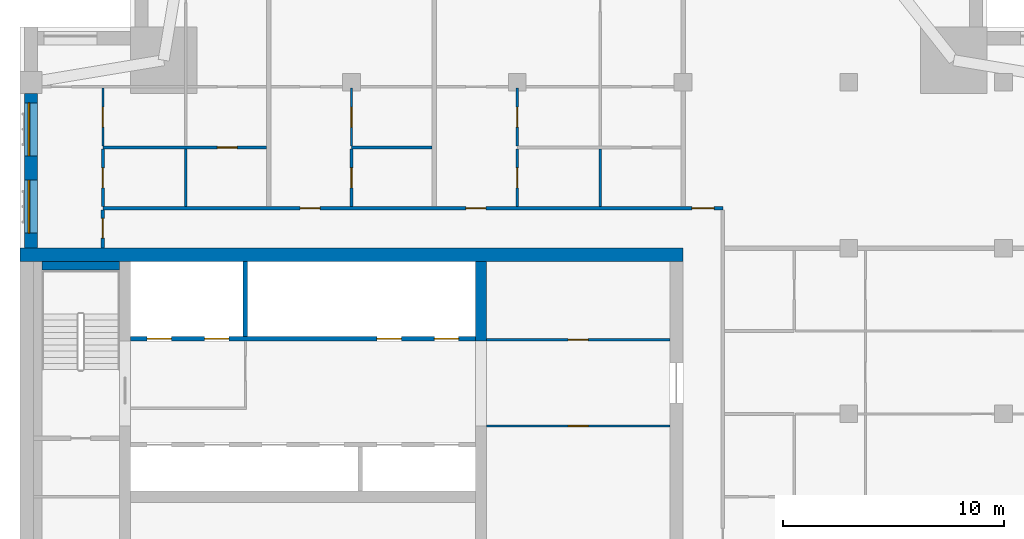
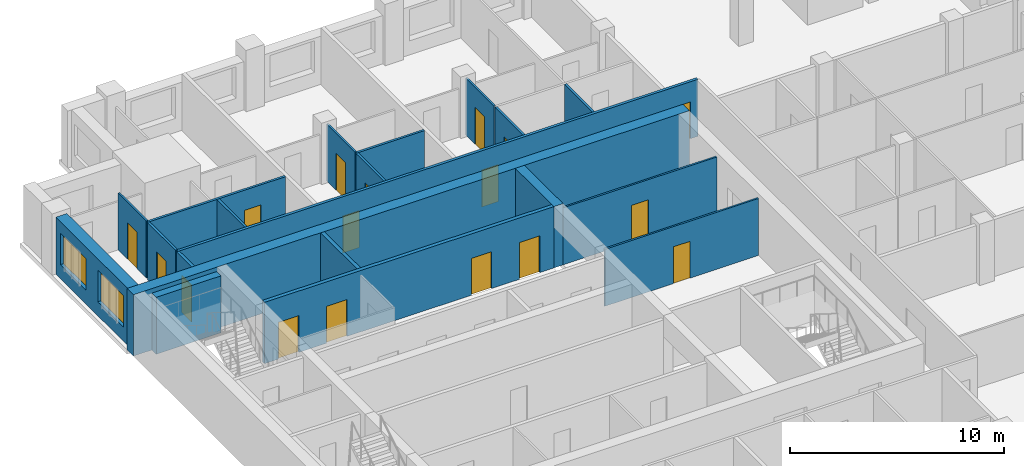
# One storey, part 6 of 10: 20 walls, 17 doors, 2 windows, 19 openings.
"""IFC4 building model written with IfcOpenShell, lengths in metres."""

from ifc_helpers import new_model, si_unit, direction, frame, frame_2d, origin, place, context, subcontext, project, spatial, rectangle, extrude, material, layer, layer_set, type_object, element, fill, save


model = new_model("IFC4")

# Units and contexts
model_context = context("Model", 3, precision=1e-05, world=origin(), true_north=direction((0.0, 1.0)))
body_context = subcontext(model_context, "Body", "Model", "MODEL_VIEW")
ifc_project = project(units=[si_unit("LENGTHUNIT", "METRE"), si_unit("AREAUNIT", "SQUARE_METRE"), si_unit("VOLUMEUNIT", "CUBIC_METRE"), si_unit("PLANEANGLEUNIT", "RADIAN"), si_unit("MASSUNIT", "GRAM", prefix="KILO")], contexts=[model_context])

# Site, building, storey
site_placement = place(None, origin())
site = spatial("IfcSite", under=ifc_project, at=site_placement, CompositionType="ELEMENT")
building_placement = place(site_placement, origin())
building = spatial("IfcBuilding", under=site, at=building_placement, Name="Tamorin Gate", CompositionType="ELEMENT")
storey_placement = place(building_placement, frame((0.0, 0.0, 251.199951171875)))
storey = spatial("IfcBuildingStorey", under=building, at=storey_placement, Name="L63", CompositionType="ELEMENT", Elevation=251.199951171875)

# Wall, openings, windows
ifc_material_1 = material(Name="Precast concrete C40/50", Category="concrete")
ifc_layer_1 = layer(ifc_material_1, 0.60009765625)
ifc_layer_set_1 = layer_set([ifc_layer_1], Name="Precast concrete C40/50")
wall_type_1 = type_object("IfcWallType", Name="Board-marked concrete facade panel 600", PredefinedType="SOLIDWALL", material=ifc_layer_set_1)
wall_1_placement = place(storey_placement, frame((30.5, 89.5, 0.0), z_axis=(0.0, 0.0, 1.0), x_axis=(0.0, -1.0, 0.0)))
wall_1 = element("IfcWall", 1, at=wall_1_placement, inside=storey, type_object=wall_type_1, Name="Facade panel", PredefinedType="SOLIDWALL", context=body_context, shape_type="SweptSolid", body=[
    extrude(rectangle(XDim=7.0, YDim=0.60009765625, at=frame_2d((3.5, 0.0))), origin(), (0.0, 0.0, 1.0), 3.25),
])
opening_1_placement = place(wall_1_placement, frame((3.925048828125, 0.0, 0.800048828125)))
opening_1 = element("IfcOpeningElement", 2, at=opening_1_placement, cuts=wall_1, Name="Opening WN1", PredefinedType="OPENING", context=body_context, shape_type="SweptSolid", body=[
    extrude(rectangle(XDim=2.39990234375, YDim=1.800048828125, at=frame_2d((1.199951171875, 0.89990234375))), frame((0.0, 0.31005859375, 0.0), z_axis=(0.0, -1.0, 0.0), x_axis=(1.0, 0.0, 0.0)), (0.0, 0.0, 1.0), 0.6201171875),
])
opening_2_placement = place(wall_1_placement, frame((0.425048828125, 0.0, 0.800048828125)))
opening_2 = element("IfcOpeningElement", 3, at=opening_2_placement, cuts=wall_1, Name="Opening WN1", PredefinedType="OPENING", context=body_context, shape_type="SweptSolid", body=[
    extrude(rectangle(XDim=2.39990234375, YDim=1.800048828125, at=frame_2d((1.199951171875, 0.89990234375))), frame((0.0, 0.31005859375, 0.0), z_axis=(0.0, -1.0, 0.0), x_axis=(1.0, 0.0, 0.0)), (0.0, 0.0, 1.0), 0.6201171875),
])
ifc_material_2 = material(Name="Clear glass in aluminium frame", Category="aluminium")
window_type = type_object("IfcWindowType", Name="Deep-set window 2400x1800", PartitioningType="SINGLE_PANEL", PredefinedType="WINDOW", material=ifc_material_2)
window_1_placement = place(opening_1_placement, origin())
window_1 = element("IfcWindow", 4, at=window_1_placement, inside=storey, type_object=window_type, Name="Deep-set window", OverallHeight=1.800048828125, OverallWidth=2.39990234375, PartitioningType="SINGLE_PANEL", PredefinedType="WINDOW", context=body_context, shape_type="SweptSolid", body=[
    extrude(rectangle(XDim=2.39990234375, YDim=1.800048828125, at=frame_2d((1.199951171875, 0.89990234375))), frame((0.0, -0.070068359375, 0.0), z_axis=(0.0, -1.0, 0.0), x_axis=(1.0, 0.0, 0.0)), (0.0, 0.0, 1.0), 0.06005859375),
])
fill(opening_1, window_1)
window_2_placement = place(opening_2_placement, origin())
window_2 = element("IfcWindow", 5, at=window_2_placement, inside=storey, type_object=window_type, Name="Deep-set window", OverallHeight=1.800048828125, OverallWidth=2.39990234375, PartitioningType="SINGLE_PANEL", PredefinedType="WINDOW", context=body_context, shape_type="SweptSolid", body=[
    extrude(rectangle(XDim=2.39990234375, YDim=1.800048828125, at=frame_2d((1.199951171875, 0.89990234375))), frame((0.0, -0.070068359375, 0.0), z_axis=(0.0, -1.0, 0.0), x_axis=(1.0, 0.0, 0.0)), (0.0, 0.0, 1.0), 0.06005859375),
])
fill(opening_2, window_2)

# Wall, openings, doors
ifc_material_3 = material(Name="Gypsum board partition")
ifc_layer_2 = layer(ifc_material_3, 0.14990234375)
ifc_layer_set_2 = layer_set([ifc_layer_2], Name="Corridor wall 150")
wall_type_2 = type_object("IfcWallType", Name="Corridor wall 150", PredefinedType="PARTITIONING", material=ifc_layer_set_2)
wall_2_placement = place(storey_placement, frame((33.75, 84.300048828125, 0.0), z_axis=(0.0, 0.0, 1.0), x_axis=(1.0, 0.0, 0.0)))
wall_2 = element("IfcWall", 6, at=wall_2_placement, inside=storey, type_object=wall_type_2, Name="Corridor wall 150", PredefinedType="PARTITIONING", context=body_context, shape_type="SweptSolid", body=[
    extrude(rectangle(XDim=28.050048828125, YDim=0.14990234375, at=frame_2d((14.02490234375, 0.0))), origin(), (0.0, 0.0, 1.0), 3.25),
])
opening_3_placement = place(wall_2_placement, frame((8.925048828125, 0.0, 0.0)))
opening_3 = element("IfcOpeningElement", 7, at=opening_3_placement, cuts=wall_2, Name="Opening DR5029", PredefinedType="OPENING", context=body_context, shape_type="SweptSolid", body=[
    extrude(rectangle(XDim=0.89990234375, YDim=2.10009765625, at=frame_2d((0.449951171875, 1.050048828125))), frame((0.0, 0.0849609375, 0.0), z_axis=(0.0, -1.0, 0.0), x_axis=(1.0, 0.0, 0.0)), (0.0, 0.0, 1.0), 0.169921875),
])
opening_4_placement = place(wall_2_placement, frame((16.425048828125, 0.0, 0.0)))
opening_4 = element("IfcOpeningElement", 8, at=opening_4_placement, cuts=wall_2, Name="Opening DR5033", PredefinedType="OPENING", context=body_context, shape_type="SweptSolid", body=[
    extrude(rectangle(XDim=0.89990234375, YDim=2.10009765625, at=frame_2d((0.449951171875, 1.050048828125))), frame((0.0, 0.0849609375, 0.0), z_axis=(0.0, -1.0, 0.0), x_axis=(1.0, 0.0, 0.0)), (0.0, 0.0, 1.0), 0.169921875),
])
opening_5_placement = place(wall_2_placement, frame((26.64990234375, 0.0, 0.0)))
opening_5 = element("IfcOpeningElement", 9, at=opening_5_placement, cuts=wall_2, Name="Opening DR5040", PredefinedType="OPENING", context=body_context, shape_type="SweptSolid", body=[
    extrude(rectangle(XDim=1.0, YDim=2.10009765625, at=frame_2d((0.5, 1.050048828125))), frame((0.0, 0.0849609375, 0.0), z_axis=(0.0, -1.0, 0.0), x_axis=(1.0, 0.0, 0.0)), (0.0, 0.0, 1.0), 0.169921875),
])
ifc_material_4 = material(Name="Timber door leaf", Category="wood")
door_type_1 = type_object("IfcDoorType", Name="Door 1000 x 2100 FD30S", OperationType="NOTDEFINED", PredefinedType="DOOR", material=ifc_material_4)
door_1_placement = place(opening_5_placement, origin())
door_1 = element("IfcDoor", 10, at=door_1_placement, inside=storey, type_object=door_type_1, Name="Door DR5040", OperationType="SINGLE_SWING_LEFT", OverallHeight=2.10009765625, OverallWidth=1.0, PredefinedType="DOOR", context=body_context, shape_type="SweptSolid", body=[
    extrude(rectangle(XDim=1.0, YDim=2.10009765625, at=frame_2d((0.5, 1.050048828125))), frame((0.0, 0.02490234375, 0.0), z_axis=(0.0, -1.0, 0.0), x_axis=(1.0, 0.0, 0.0)), (0.0, 0.0, 1.0), 0.050048828125),
])
fill(opening_5, door_1)
door_type_2 = type_object("IfcDoorType", Name="Door 900 x 2100 FD30S", OperationType="NOTDEFINED", PredefinedType="DOOR", material=ifc_material_4)
door_2_placement = place(opening_3_placement, origin())
door_2 = element("IfcDoor", 11, at=door_2_placement, inside=storey, type_object=door_type_2, Name="Door DR5029", OperationType="SINGLE_SWING_LEFT", OverallHeight=2.10009765625, OverallWidth=0.89990234375, PredefinedType="DOOR", context=body_context, shape_type="SweptSolid", body=[
    extrude(rectangle(XDim=0.89990234375, YDim=2.10009765625, at=frame_2d((0.449951171875, 1.050048828125))), frame((0.0, 0.02490234375, 0.0), z_axis=(0.0, -1.0, 0.0), x_axis=(1.0, 0.0, 0.0)), (0.0, 0.0, 1.0), 0.050048828125),
])
fill(opening_3, door_2)
door_3_placement = place(opening_4_placement, origin())
door_3 = element("IfcDoor", 12, at=door_3_placement, inside=storey, type_object=door_type_2, Name="Door DR5033", OperationType="SINGLE_SWING_LEFT", OverallHeight=2.10009765625, OverallWidth=0.89990234375, PredefinedType="DOOR", context=body_context, shape_type="SweptSolid", body=[
    extrude(rectangle(XDim=0.89990234375, YDim=2.10009765625, at=frame_2d((0.449951171875, 1.050048828125))), frame((0.0, 0.02490234375, 0.0), z_axis=(0.0, -1.0, 0.0), x_axis=(1.0, 0.0, 0.0)), (0.0, 0.0, 1.0), 0.050048828125),
])
fill(opening_4, door_3)

# Wall, opening, door
wall_3_placement = place(storey_placement, frame((33.75, 82.5, 0.0), z_axis=(0.0, 0.0, 1.0), x_axis=(0.0, 1.0, 0.0)))
wall_3 = element("IfcWall", 13, at=wall_3_placement, inside=storey, type_object=wall_type_2, Name="Corridor wall 150", PredefinedType="PARTITIONING", context=body_context, shape_type="SweptSolid", body=[
    extrude(rectangle(XDim=1.72509765625, YDim=0.14990234375, at=frame_2d((0.862548828125, 0.0))), origin(), (0.0, 0.0, 1.0), 3.25),
])
opening_6_placement = place(wall_3_placement, frame((0.449951171875, 0.0, 0.0)))
opening_6 = element("IfcOpeningElement", 14, at=opening_6_placement, cuts=wall_3, Name="Opening DR5022", PredefinedType="OPENING", context=body_context, shape_type="SweptSolid", body=[
    extrude(rectangle(XDim=0.89990234375, YDim=2.10009765625, at=frame_2d((0.449951171875, 1.050048828125))), frame((0.0, 0.0849609375, 0.0), z_axis=(0.0, -1.0, 0.0), x_axis=(1.0, 0.0, 0.0)), (0.0, 0.0, 1.0), 0.169921875),
])
door_4_placement = place(opening_6_placement, origin())
door_4 = element("IfcDoor", 15, at=door_4_placement, inside=storey, type_object=door_type_2, Name="Door DR5022", OperationType="SINGLE_SWING_LEFT", OverallHeight=2.10009765625, OverallWidth=0.89990234375, PredefinedType="DOOR", context=body_context, shape_type="SweptSolid", body=[
    extrude(rectangle(XDim=0.89990234375, YDim=2.10009765625, at=frame_2d((0.449951171875, 1.050048828125))), frame((0.0, 0.02490234375, 0.0), z_axis=(0.0, -1.0, 0.0), x_axis=(1.0, 0.0, 0.0)), (0.0, 0.0, 1.0), 0.050048828125),
])
fill(opening_6, door_4)

# Wall, openings, doors
ifc_material_5 = material(Name="Concrete C32/40", Category="concrete")
ifc_layer_3 = layer(ifc_material_5, 0.199951171875)
ifc_layer_set_3 = layer_set([ifc_layer_3], Name="Lift lobby face wall 200 EI 120")
wall_type_3 = type_object("IfcWallType", Name="Lift lobby face wall 200 EI 120", PredefinedType="SOLIDWALL", material=ifc_layer_set_3)
wall_4_placement = place(storey_placement, frame((35.0, 78.39990234375, 0.0), z_axis=(0.0, 0.0, 1.0), x_axis=(1.0, 0.0, 0.0)))
wall_4 = element("IfcWall", 16, at=wall_4_placement, inside=storey, type_object=wall_type_3, Name="Lift lobby face wall", PredefinedType="SOLIDWALL", context=body_context, shape_type="SweptSolid", body=[
    extrude(rectangle(XDim=15.60009765625, YDim=0.199951171875, at=frame_2d((7.800048828125, 0.0))), origin(), (0.0, 0.0, 1.0), 3.5),
])
opening_7_placement = place(wall_4_placement, frame((0.75, 0.0, 0.0)))
opening_7 = element("IfcOpeningElement", 17, at=opening_7_placement, cuts=wall_4, Name="Opening LD17", PredefinedType="OPENING", context=body_context, shape_type="SweptSolid", body=[
    extrude(rectangle(XDim=1.10009765625, YDim=2.10009765625, at=frame_2d((0.550048828125, 1.050048828125))), frame((0.0, 0.10986328125, 0.0), z_axis=(0.0, -1.0, 0.0), x_axis=(1.0, 0.0, 0.0)), (0.0, 0.0, 1.0), 0.219970703125),
])
opening_8_placement = place(wall_4_placement, frame((3.35009765625, 0.0, 0.0)))
opening_8 = element("IfcOpeningElement", 18, at=opening_8_placement, cuts=wall_4, Name="Opening LD18", PredefinedType="OPENING", context=body_context, shape_type="SweptSolid", body=[
    extrude(rectangle(XDim=1.10009765625, YDim=2.10009765625, at=frame_2d((0.550048828125, 1.050048828125))), frame((0.0, 0.10986328125, 0.0), z_axis=(0.0, -1.0, 0.0), x_axis=(1.0, 0.0, 0.0)), (0.0, 0.0, 1.0), 0.219970703125),
])
opening_9_placement = place(wall_4_placement, frame((11.14990234375, 0.0, 0.0)))
opening_9 = element("IfcOpeningElement", 19, at=opening_9_placement, cuts=wall_4, Name="Opening LD21", PredefinedType="OPENING", context=body_context, shape_type="SweptSolid", body=[
    extrude(rectangle(XDim=1.10009765625, YDim=2.10009765625, at=frame_2d((0.550048828125, 1.050048828125))), frame((0.0, 0.10986328125, 0.0), z_axis=(0.0, -1.0, 0.0), x_axis=(1.0, 0.0, 0.0)), (0.0, 0.0, 1.0), 0.219970703125),
])
opening_10_placement = place(wall_4_placement, frame((13.75, 0.0, 0.0)))
opening_10 = element("IfcOpeningElement", 20, at=opening_10_placement, cuts=wall_4, Name="Opening LD22", PredefinedType="OPENING", context=body_context, shape_type="SweptSolid", body=[
    extrude(rectangle(XDim=1.10009765625, YDim=2.10009765625, at=frame_2d((0.550048828125, 1.050048828125))), frame((0.0, 0.10986328125, 0.0), z_axis=(0.0, -1.0, 0.0), x_axis=(1.0, 0.0, 0.0)), (0.0, 0.0, 1.0), 0.219970703125),
])
ifc_material_6 = material(Name="Stainless steel sliding door", Category="steel")
door_type_3 = type_object("IfcDoorType", Name="Lift landing door 1100 x 2100 E 90", OperationType="DOUBLE_DOOR_SLIDING", PredefinedType="DOOR", material=ifc_material_6)
door_5_placement = place(opening_7_placement, origin())
door_5 = element("IfcDoor", 21, at=door_5_placement, inside=storey, type_object=door_type_3, Name="FF1 landing door", OperationType="DOUBLE_DOOR_SLIDING", OverallHeight=2.10009765625, OverallWidth=1.10009765625, PredefinedType="DOOR", context=body_context, shape_type="SweptSolid", body=[
    extrude(rectangle(XDim=1.10009765625, YDim=2.10009765625, at=frame_2d((0.550048828125, 1.050048828125))), frame((0.0, 0.02490234375, 0.0), z_axis=(0.0, -1.0, 0.0), x_axis=(1.0, 0.0, 0.0)), (0.0, 0.0, 1.0), 0.050048828125),
])
fill(opening_7, door_5)
door_6_placement = place(opening_8_placement, origin())
door_6 = element("IfcDoor", 22, at=door_6_placement, inside=storey, type_object=door_type_3, Name="FF2 landing door", OperationType="DOUBLE_DOOR_SLIDING", OverallHeight=2.10009765625, OverallWidth=1.10009765625, PredefinedType="DOOR", context=body_context, shape_type="SweptSolid", body=[
    extrude(rectangle(XDim=1.10009765625, YDim=2.10009765625, at=frame_2d((0.550048828125, 1.050048828125))), frame((0.0, 0.02490234375, 0.0), z_axis=(0.0, -1.0, 0.0), x_axis=(1.0, 0.0, 0.0)), (0.0, 0.0, 1.0), 0.050048828125),
])
fill(opening_8, door_6)
door_7_placement = place(opening_9_placement, origin())
door_7 = element("IfcDoor", 23, at=door_7_placement, inside=storey, type_object=door_type_3, Name="SV1 landing door", OperationType="DOUBLE_DOOR_SLIDING", OverallHeight=2.10009765625, OverallWidth=1.10009765625, PredefinedType="DOOR", context=body_context, shape_type="SweptSolid", body=[
    extrude(rectangle(XDim=1.10009765625, YDim=2.10009765625, at=frame_2d((0.550048828125, 1.050048828125))), frame((0.0, 0.02490234375, 0.0), z_axis=(0.0, -1.0, 0.0), x_axis=(1.0, 0.0, 0.0)), (0.0, 0.0, 1.0), 0.050048828125),
])
fill(opening_9, door_7)
door_8_placement = place(opening_10_placement, origin())
door_8 = element("IfcDoor", 24, at=door_8_placement, inside=storey, type_object=door_type_3, Name="SV2 landing door", OperationType="DOUBLE_DOOR_SLIDING", OverallHeight=2.10009765625, OverallWidth=1.10009765625, PredefinedType="DOOR", context=body_context, shape_type="SweptSolid", body=[
    extrude(rectangle(XDim=1.10009765625, YDim=2.10009765625, at=frame_2d((0.550048828125, 1.050048828125))), frame((0.0, 0.02490234375, 0.0), z_axis=(0.0, -1.0, 0.0), x_axis=(1.0, 0.0, 0.0)), (0.0, 0.0, 1.0), 0.050048828125),
])
fill(opening_10, door_8)

# Walls
ifc_layer_4 = layer(ifc_material_5, 0.199951171875)
ifc_layer_set_4 = layer_set([ifc_layer_4], Name="Lift shaft wall 200 EI 120")
wall_type_4 = type_object("IfcWallType", Name="Lift shaft wall 200 EI 120", PredefinedType="SOLIDWALL", material=ifc_layer_set_4)
wall_5_placement = place(storey_placement, frame((40.199951171875, 78.5, 0.0), z_axis=(0.0, 0.0, 1.0), x_axis=(0.0, 1.0, 0.0)))
element("IfcWall", 25, at=wall_5_placement, inside=storey, type_object=wall_type_4, Name="Lift shaft wall", PredefinedType="SOLIDWALL", context=body_context, shape_type="SweptSolid", body=[
    extrude(rectangle(XDim=3.39990234375, YDim=0.199951171875, at=frame_2d((1.699951171875, 0.0))), origin(), (0.0, 0.0, 1.0), 3.5),
])
ifc_material_7 = material(Name="Concrete C50/60", Category="concrete")
ifc_layer_5 = layer(ifc_material_7, 0.5)
ifc_layer_set_5 = layer_set([ifc_layer_5], Name="RC core internal wall 500 C50/60")
wall_type_5 = type_object("IfcWallType", Name="RC core internal wall 500 C50/60", PredefinedType="SHEAR", material=ifc_layer_set_5)
wall_6_placement = place(storey_placement, frame((50.85009765625, 78.300048828125, 0.0), z_axis=(0.0, 0.0, 1.0), x_axis=(0.0, 1.0, 0.0)))
element("IfcWall", 26, at=wall_6_placement, inside=storey, type_object=wall_type_5, Name="Core cross wall L63", PredefinedType="SHEAR", context=body_context, shape_type="SweptSolid", body=[
    extrude(rectangle(XDim=3.599853515625, YDim=0.5, at=frame_2d((1.7998046875, 0.0))), origin(), (0.0, 0.0, 1.0), 3.5),
])
ifc_layer_6 = layer(ifc_material_7, 0.60009765625)
ifc_layer_set_6 = layer_set([ifc_layer_6], Name="RC core wall 600 C50/60")
wall_type_6 = type_object("IfcWallType", Name="RC core wall 600 C50/60", PredefinedType="SHEAR", material=ifc_layer_set_6)
wall_7_placement = place(storey_placement, frame((30.0, 82.199951171875, 0.0), z_axis=(0.0, 0.0, 1.0), x_axis=(1.0, 0.0, 0.0)))
element("IfcWall", 27, at=wall_7_placement, inside=storey, type_object=wall_type_6, Name="Core wall L63", PredefinedType="SHEAR", context=body_context, shape_type="SweptSolid", body=[
    extrude(rectangle(XDim=30.0, YDim=0.60009765625, at=frame_2d((15.0, 0.0))), origin(), (0.0, 0.0, 1.0), 3.5),
])

# Wall, opening, door
ifc_layer_7 = layer(ifc_material_3, 0.10009765625)
ifc_layer_set_7 = layer_set([ifc_layer_7], Name="Room partition 100")
wall_type_7 = type_object("IfcWallType", Name="Room partition 100", PredefinedType="PARTITIONING", material=ifc_layer_set_7)
wall_8_placement = place(storey_placement, frame((33.75, 87.112548828125, 0.0), z_axis=(0.0, 0.0, 1.0), x_axis=(0.0, 1.0, 0.0)))
wall_8 = element("IfcWall", 28, at=wall_8_placement, inside=storey, type_object=wall_type_7, Name="Room partition 100", PredefinedType="PARTITIONING", context=body_context, shape_type="SweptSolid", body=[
    extrude(rectangle(XDim=2.637451171875, YDim=0.10009765625, at=frame_2d((1.31884765625, 0.0))), origin(), (0.0, 0.0, 1.0), 3.25),
])
opening_11_placement = place(wall_8_placement, frame((0.862548828125, 0.0, 0.0)))
opening_11 = element("IfcOpeningElement", 29, at=opening_11_placement, cuts=wall_8, Name="Opening DR5024", PredefinedType="OPENING", context=body_context, shape_type="SweptSolid", body=[
    extrude(rectangle(XDim=0.89990234375, YDim=2.10009765625, at=frame_2d((0.449951171875, 1.050048828125))), frame((0.0, 0.06005859375, 0.0), z_axis=(0.0, -1.0, 0.0), x_axis=(1.0, 0.0, 0.0)), (0.0, 0.0, 1.0), 0.1201171875),
])
door_type_4 = type_object("IfcDoorType", Name="Door 900 x 2100", OperationType="NOTDEFINED", PredefinedType="DOOR", material=ifc_material_4)
door_9_placement = place(opening_11_placement, origin())
door_9 = element("IfcDoor", 30, at=door_9_placement, inside=storey, type_object=door_type_4, Name="Door DR5024", OperationType="SINGLE_SWING_RIGHT", OverallHeight=2.10009765625, OverallWidth=0.89990234375, PredefinedType="DOOR", context=body_context, shape_type="SweptSolid", body=[
    extrude(rectangle(XDim=0.89990234375, YDim=2.10009765625, at=frame_2d((0.449951171875, 1.050048828125))), frame((0.0, 0.02490234375, 0.0), z_axis=(0.0, -1.0, 0.0), x_axis=(1.0, 0.0, 0.0)), (0.0, 0.0, 1.0), 0.050048828125),
])
fill(opening_11, door_9)

wall_9_placement = place(storey_placement, frame((45.0, 87.112548828125, 0.0), z_axis=(0.0, 0.0, 1.0), x_axis=(0.0, 1.0, 0.0)))
wall_9 = element("IfcWall", 31, at=wall_9_placement, inside=storey, type_object=wall_type_7, Name="Room partition 100", PredefinedType="PARTITIONING", context=body_context, shape_type="SweptSolid", body=[
    extrude(rectangle(XDim=2.637451171875, YDim=0.10009765625, at=frame_2d((1.31884765625, 0.0))), origin(), (0.0, 0.0, 1.0), 3.25),
])
opening_12_placement = place(wall_9_placement, frame((0.862548828125, 0.0, 0.0)))
opening_12 = element("IfcOpeningElement", 32, at=opening_12_placement, cuts=wall_9, Name="Opening DR5031", PredefinedType="OPENING", context=body_context, shape_type="SweptSolid", body=[
    extrude(rectangle(XDim=0.89990234375, YDim=2.10009765625, at=frame_2d((0.449951171875, 1.050048828125))), frame((0.0, 0.06005859375, 0.0), z_axis=(0.0, -1.0, 0.0), x_axis=(1.0, 0.0, 0.0)), (0.0, 0.0, 1.0), 0.1201171875),
])
door_10_placement = place(opening_12_placement, origin())
door_10 = element("IfcDoor", 33, at=door_10_placement, inside=storey, type_object=door_type_4, Name="Door DR5031", OperationType="SINGLE_SWING_RIGHT", OverallHeight=2.10009765625, OverallWidth=0.89990234375, PredefinedType="DOOR", context=body_context, shape_type="SweptSolid", body=[
    extrude(rectangle(XDim=0.89990234375, YDim=2.10009765625, at=frame_2d((0.449951171875, 1.050048828125))), frame((0.0, 0.02490234375, 0.0), z_axis=(0.0, -1.0, 0.0), x_axis=(1.0, 0.0, 0.0)), (0.0, 0.0, 1.0), 0.050048828125),
])
fill(opening_12, door_10)

wall_10_placement = place(storey_placement, frame((52.5, 87.112548828125, 0.0), z_axis=(0.0, 0.0, 1.0), x_axis=(0.0, 1.0, 0.0)))
wall_10 = element("IfcWall", 34, at=wall_10_placement, inside=storey, type_object=wall_type_7, Name="Room partition 100", PredefinedType="PARTITIONING", context=body_context, shape_type="SweptSolid", body=[
    extrude(rectangle(XDim=2.637451171875, YDim=0.10009765625, at=frame_2d((1.31884765625, 0.0))), origin(), (0.0, 0.0, 1.0), 3.25),
])
opening_13_placement = place(wall_10_placement, frame((0.862548828125, 0.0, 0.0)))
opening_13 = element("IfcOpeningElement", 35, at=opening_13_placement, cuts=wall_10, Name="Opening DR5035", PredefinedType="OPENING", context=body_context, shape_type="SweptSolid", body=[
    extrude(rectangle(XDim=0.89990234375, YDim=2.10009765625, at=frame_2d((0.449951171875, 1.050048828125))), frame((0.0, 0.06005859375, 0.0), z_axis=(0.0, -1.0, 0.0), x_axis=(1.0, 0.0, 0.0)), (0.0, 0.0, 1.0), 0.1201171875),
])
door_11_placement = place(opening_13_placement, origin())
door_11 = element("IfcDoor", 36, at=door_11_placement, inside=storey, type_object=door_type_4, Name="Door DR5035", OperationType="SINGLE_SWING_RIGHT", OverallHeight=2.10009765625, OverallWidth=0.89990234375, PredefinedType="DOOR", context=body_context, shape_type="SweptSolid", body=[
    extrude(rectangle(XDim=0.89990234375, YDim=2.10009765625, at=frame_2d((0.449951171875, 1.050048828125))), frame((0.0, 0.02490234375, 0.0), z_axis=(0.0, -1.0, 0.0), x_axis=(1.0, 0.0, 0.0)), (0.0, 0.0, 1.0), 0.050048828125),
])
fill(opening_13, door_11)

ifc_layer_8 = layer(ifc_material_3, 0.10009765625)
ifc_layer_set_8 = layer_set([ifc_layer_8], Name="Service room partition 100 EI 60")
wall_type_8 = type_object("IfcWallType", Name="Service room partition 100 EI 60", PredefinedType="PARTITIONING", material=ifc_layer_set_8)
wall_11_placement = place(storey_placement, frame((51.10009765625, 74.449951171875, 0.0), z_axis=(0.0, 0.0, 1.0), x_axis=(1.0, 0.0, 0.0)))
wall_11 = element("IfcWall", 37, at=wall_11_placement, inside=storey, type_object=wall_type_8, Name="Service room wall", PredefinedType="PARTITIONING", context=body_context, shape_type="SweptSolid", body=[
    extrude(rectangle(XDim=8.2998046875, YDim=0.10009765625, at=frame_2d((4.14990234375, 0.0))), origin(), (0.0, 0.0, 1.0), 3.25),
])
opening_14_placement = place(wall_11_placement, frame((3.699951171875, 0.0, 0.0)))
opening_14 = element("IfcOpeningElement", 38, at=opening_14_placement, cuts=wall_11, Name="Opening DR1", PredefinedType="OPENING", context=body_context, shape_type="SweptSolid", body=[
    extrude(rectangle(XDim=0.89990234375, YDim=2.10009765625, at=frame_2d((0.449951171875, 1.050048828125))), frame((0.0, 0.06005859375, 0.0), z_axis=(0.0, -1.0, 0.0), x_axis=(1.0, 0.0, 0.0)), (0.0, 0.0, 1.0), 0.1201171875),
])
ifc_material_8 = material(Name="Steel fire door", Category="steel")
door_type_5 = type_object("IfcDoorType", Name="Riser access door 900 x 2100 EI 120", OperationType="SINGLE_SWING_LEFT", PredefinedType="DOOR", material=ifc_material_8)
door_12_placement = place(opening_14_placement, origin())
door_12 = element("IfcDoor", 39, at=door_12_placement, inside=storey, type_object=door_type_5, Name="Duct riser door", OperationType="SINGLE_SWING_LEFT", OverallHeight=2.10009765625, OverallWidth=0.89990234375, PredefinedType="DOOR", context=body_context, shape_type="SweptSolid", body=[
    extrude(rectangle(XDim=0.89990234375, YDim=2.10009765625, at=frame_2d((0.449951171875, 1.050048828125))), frame((0.0, 0.02490234375, 0.0), z_axis=(0.0, -1.0, 0.0), x_axis=(1.0, 0.0, 0.0)), (0.0, 0.0, 1.0), 0.050048828125),
])
fill(opening_14, door_12)

wall_12_placement = place(storey_placement, frame((51.10009765625, 78.35009765625, 0.0), z_axis=(0.0, 0.0, 1.0), x_axis=(1.0, 0.0, 0.0)))
wall_12 = element("IfcWall", 40, at=wall_12_placement, inside=storey, type_object=wall_type_8, Name="Service room wall", PredefinedType="PARTITIONING", context=body_context, shape_type="SweptSolid", body=[
    extrude(rectangle(XDim=8.2998046875, YDim=0.10009765625, at=frame_2d((4.14990234375, 0.0))), origin(), (0.0, 0.0, 1.0), 3.25),
])
opening_15_placement = place(wall_12_placement, frame((3.699951171875, 0.0, 0.0)))
opening_15 = element("IfcOpeningElement", 41, at=opening_15_placement, cuts=wall_12, Name="Opening DK1", PredefinedType="OPENING", context=body_context, shape_type="SweptSolid", body=[
    extrude(rectangle(XDim=0.89990234375, YDim=2.10009765625, at=frame_2d((0.449951171875, 1.050048828125))), frame((0.0, 0.06005859375, 0.0), z_axis=(0.0, -1.0, 0.0), x_axis=(1.0, 0.0, 0.0)), (0.0, 0.0, 1.0), 0.1201171875),
])
ifc_material_9 = material(Name="Timber fire door", Category="wood")
door_type_6 = type_object("IfcDoorType", Name="Service room door 900 x 2100 EI 60", OperationType="SINGLE_SWING_LEFT", PredefinedType="DOOR", material=ifc_material_9)
door_13_placement = place(opening_15_placement, origin())
door_13 = element("IfcDoor", 42, at=door_13_placement, inside=storey, type_object=door_type_6, Name="Door Store", OperationType="SINGLE_SWING_LEFT", OverallHeight=2.10009765625, OverallWidth=0.89990234375, PredefinedType="DOOR", context=body_context, shape_type="SweptSolid", body=[
    extrude(rectangle(XDim=0.89990234375, YDim=2.10009765625, at=frame_2d((0.449951171875, 1.050048828125))), frame((0.0, 0.02490234375, 0.0), z_axis=(0.0, -1.0, 0.0), x_axis=(1.0, 0.0, 0.0)), (0.0, 0.0, 1.0), 0.050048828125),
])
fill(opening_15, door_13)

# Wall
ifc_layer_9 = layer(ifc_material_7, 0.39990234375)
ifc_layer_set_9 = layer_set([ifc_layer_9], Name="Stair lining wall 400 EI 120 C50/60")
wall_type_9 = type_object("IfcWallType", Name="Stair lining wall 400 EI 120 C50/60", PredefinedType="SOLIDWALL", material=ifc_layer_set_9)
wall_13_placement = place(storey_placement, frame((31.0, 81.699951171875, 0.0), z_axis=(0.0, 0.0, 1.0), x_axis=(1.0, 0.0, 0.0)))
element("IfcWall", 43, at=wall_13_placement, inside=storey, type_object=wall_type_9, Name="Stair lining wall", PredefinedType="SOLIDWALL", context=body_context, shape_type="SweptSolid", body=[
    extrude(rectangle(XDim=3.5, YDim=0.39990234375, at=frame_2d((1.75, 0.0))), origin(), (0.0, 0.0, 1.0), 3.25),
])

# Wall, opening, door
ifc_layer_10 = layer(ifc_material_3, 0.125)
ifc_layer_set_10 = layer_set([ifc_layer_10], Name="Wet wall 125")
wall_type_10 = type_object("IfcWallType", Name="Wet wall 125", PredefinedType="PARTITIONING", material=ifc_layer_set_10)
wall_14_placement = place(storey_placement, frame((33.75, 87.050048828125, 0.0), z_axis=(0.0, 0.0, 1.0), x_axis=(1.0, 0.0, 0.0)))
wall_14 = element("IfcWall", 44, at=wall_14_placement, inside=storey, type_object=wall_type_10, Name="Wet wall 125", PredefinedType="PARTITIONING", context=body_context, shape_type="SweptSolid", body=[
    extrude(rectangle(XDim=7.39990234375, YDim=0.125, at=frame_2d((3.699951171875, 0.0))), origin(), (0.0, 0.0, 1.0), 3.25),
])
opening_16_placement = place(wall_14_placement, frame((5.175048828125, 0.0, 0.0)))
opening_16 = element("IfcOpeningElement", 45, at=opening_16_placement, cuts=wall_14, Name="Opening DR5027", PredefinedType="OPENING", context=body_context, shape_type="SweptSolid", body=[
    extrude(rectangle(XDim=0.89990234375, YDim=2.10009765625, at=frame_2d((0.449951171875, 1.050048828125))), frame((0.0, 0.072509765625, 0.0), z_axis=(0.0, -1.0, 0.0), x_axis=(1.0, 0.0, 0.0)), (0.0, 0.0, 1.0), 0.14501953125),
])
door_14_placement = place(opening_16_placement, origin())
door_14 = element("IfcDoor", 46, at=door_14_placement, inside=storey, type_object=door_type_4, Name="Door DR5027", OperationType="SINGLE_SWING_RIGHT", OverallHeight=2.10009765625, OverallWidth=0.89990234375, PredefinedType="DOOR", context=body_context, shape_type="SweptSolid", body=[
    extrude(rectangle(XDim=0.89990234375, YDim=2.10009765625, at=frame_2d((0.449951171875, 1.050048828125))), frame((0.0, 0.02490234375, 0.0), z_axis=(0.0, -1.0, 0.0), x_axis=(1.0, 0.0, 0.0)), (0.0, 0.0, 1.0), 0.050048828125),
])
fill(opening_16, door_14)

# Wall
wall_15_placement = place(storey_placement, frame((45.0, 87.050048828125, 0.0), z_axis=(0.0, 0.0, 1.0), x_axis=(1.0, 0.0, 0.0)))
element("IfcWall", 47, at=wall_15_placement, inside=storey, type_object=wall_type_10, Name="Wet wall 125", PredefinedType="PARTITIONING", context=body_context, shape_type="SweptSolid", body=[
    extrude(rectangle(XDim=3.64990234375, YDim=0.125, at=frame_2d((1.824951171875, 0.0))), origin(), (0.0, 0.0, 1.0), 3.25),
])

# Wall, opening, door
wall_16_placement = place(storey_placement, frame((33.75, 84.375, 0.0), z_axis=(0.0, 0.0, 1.0), x_axis=(0.0, 1.0, 0.0)))
wall_16 = element("IfcWall", 48, at=wall_16_placement, inside=storey, type_object=wall_type_10, Name="Wet wall 125", PredefinedType="PARTITIONING", context=body_context, shape_type="SweptSolid", body=[
    extrude(rectangle(XDim=2.612548828125, YDim=0.125, at=frame_2d((1.30615234375, 0.0))), origin(), (0.0, 0.0, 1.0), 3.25),
])
opening_17_placement = place(wall_16_placement, frame((0.85009765625, 0.0, 0.0)))
opening_17 = element("IfcOpeningElement", 49, at=opening_17_placement, cuts=wall_16, Name="Opening DR5025", PredefinedType="OPENING", context=body_context, shape_type="SweptSolid", body=[
    extrude(rectangle(XDim=0.89990234375, YDim=2.10009765625, at=frame_2d((0.449951171875, 1.050048828125))), frame((0.0, 0.072509765625, 0.0), z_axis=(0.0, -1.0, 0.0), x_axis=(1.0, 0.0, 0.0)), (0.0, 0.0, 1.0), 0.14501953125),
])
door_15_placement = place(opening_17_placement, origin())
door_15 = element("IfcDoor", 50, at=door_15_placement, inside=storey, type_object=door_type_4, Name="Door DR5025", OperationType="SINGLE_SWING_RIGHT", OverallHeight=2.10009765625, OverallWidth=0.89990234375, PredefinedType="DOOR", context=body_context, shape_type="SweptSolid", body=[
    extrude(rectangle(XDim=0.89990234375, YDim=2.10009765625, at=frame_2d((0.449951171875, 1.050048828125))), frame((0.0, 0.02490234375, 0.0), z_axis=(0.0, -1.0, 0.0), x_axis=(1.0, 0.0, 0.0)), (0.0, 0.0, 1.0), 0.050048828125),
])
fill(opening_17, door_15)

# Wall
wall_17_placement = place(storey_placement, frame((37.5, 84.375, 0.0), z_axis=(0.0, 0.0, 1.0), x_axis=(0.0, 1.0, 0.0)))
element("IfcWall", 51, at=wall_17_placement, inside=storey, type_object=wall_type_10, Name="Wet wall 125", PredefinedType="PARTITIONING", context=body_context, shape_type="SweptSolid", body=[
    extrude(rectangle(XDim=2.612548828125, YDim=0.125, at=frame_2d((1.30615234375, 0.0))), origin(), (0.0, 0.0, 1.0), 3.25),
])

# Wall, opening, door
wall_18_placement = place(storey_placement, frame((45.0, 84.375, 0.0), z_axis=(0.0, 0.0, 1.0), x_axis=(0.0, 1.0, 0.0)))
wall_18 = element("IfcWall", 52, at=wall_18_placement, inside=storey, type_object=wall_type_10, Name="Wet wall 125", PredefinedType="PARTITIONING", context=body_context, shape_type="SweptSolid", body=[
    extrude(rectangle(XDim=2.612548828125, YDim=0.125, at=frame_2d((1.30615234375, 0.0))), origin(), (0.0, 0.0, 1.0), 3.25),
])
opening_18_placement = place(wall_18_placement, frame((0.85009765625, 0.0, 0.0)))
opening_18 = element("IfcOpeningElement", 53, at=opening_18_placement, cuts=wall_18, Name="Opening DR5032", PredefinedType="OPENING", context=body_context, shape_type="SweptSolid", body=[
    extrude(rectangle(XDim=0.89990234375, YDim=2.10009765625, at=frame_2d((0.449951171875, 1.050048828125))), frame((0.0, 0.072509765625, 0.0), z_axis=(0.0, -1.0, 0.0), x_axis=(1.0, 0.0, 0.0)), (0.0, 0.0, 1.0), 0.14501953125),
])
door_16_placement = place(opening_18_placement, origin())
door_16 = element("IfcDoor", 54, at=door_16_placement, inside=storey, type_object=door_type_4, Name="Door DR5032", OperationType="SINGLE_SWING_RIGHT", OverallHeight=2.10009765625, OverallWidth=0.89990234375, PredefinedType="DOOR", context=body_context, shape_type="SweptSolid", body=[
    extrude(rectangle(XDim=0.89990234375, YDim=2.10009765625, at=frame_2d((0.449951171875, 1.050048828125))), frame((0.0, 0.02490234375, 0.0), z_axis=(0.0, -1.0, 0.0), x_axis=(1.0, 0.0, 0.0)), (0.0, 0.0, 1.0), 0.050048828125),
])
fill(opening_18, door_16)

wall_19_placement = place(storey_placement, frame((52.5, 84.375, 0.0), z_axis=(0.0, 0.0, 1.0), x_axis=(0.0, 1.0, 0.0)))
wall_19 = element("IfcWall", 55, at=wall_19_placement, inside=storey, type_object=wall_type_10, Name="Wet wall 125", PredefinedType="PARTITIONING", context=body_context, shape_type="SweptSolid", body=[
    extrude(rectangle(XDim=2.612548828125, YDim=0.125, at=frame_2d((1.30615234375, 0.0))), origin(), (0.0, 0.0, 1.0), 3.25),
])
opening_19_placement = place(wall_19_placement, frame((0.85009765625, 0.0, 0.0)))
opening_19 = element("IfcOpeningElement", 56, at=opening_19_placement, cuts=wall_19, Name="Opening DR5036", PredefinedType="OPENING", context=body_context, shape_type="SweptSolid", body=[
    extrude(rectangle(XDim=0.89990234375, YDim=2.10009765625, at=frame_2d((0.449951171875, 1.050048828125))), frame((0.0, 0.072509765625, 0.0), z_axis=(0.0, -1.0, 0.0), x_axis=(1.0, 0.0, 0.0)), (0.0, 0.0, 1.0), 0.14501953125),
])
door_17_placement = place(opening_19_placement, origin())
door_17 = element("IfcDoor", 57, at=door_17_placement, inside=storey, type_object=door_type_4, Name="Door DR5036", OperationType="SINGLE_SWING_RIGHT", OverallHeight=2.10009765625, OverallWidth=0.89990234375, PredefinedType="DOOR", context=body_context, shape_type="SweptSolid", body=[
    extrude(rectangle(XDim=0.89990234375, YDim=2.10009765625, at=frame_2d((0.449951171875, 1.050048828125))), frame((0.0, 0.02490234375, 0.0), z_axis=(0.0, -1.0, 0.0), x_axis=(1.0, 0.0, 0.0)), (0.0, 0.0, 1.0), 0.050048828125),
])
fill(opening_19, door_17)

# Wall
wall_20_placement = place(storey_placement, frame((56.25, 84.375, 0.0), z_axis=(0.0, 0.0, 1.0), x_axis=(0.0, 1.0, 0.0)))
element("IfcWall", 58, at=wall_20_placement, inside=storey, type_object=wall_type_10, Name="Wet wall 125", PredefinedType="PARTITIONING", context=body_context, shape_type="SweptSolid", body=[
    extrude(rectangle(XDim=2.612548828125, YDim=0.125, at=frame_2d((1.30615234375, 0.0))), origin(), (0.0, 0.0, 1.0), 3.25),
])

save(model, "model.ifc")
